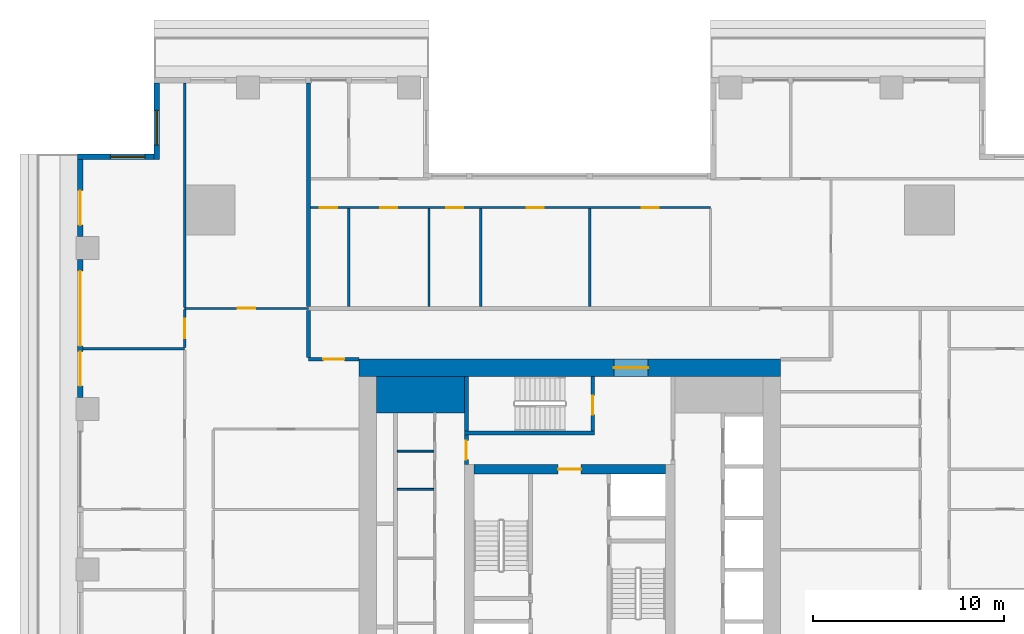
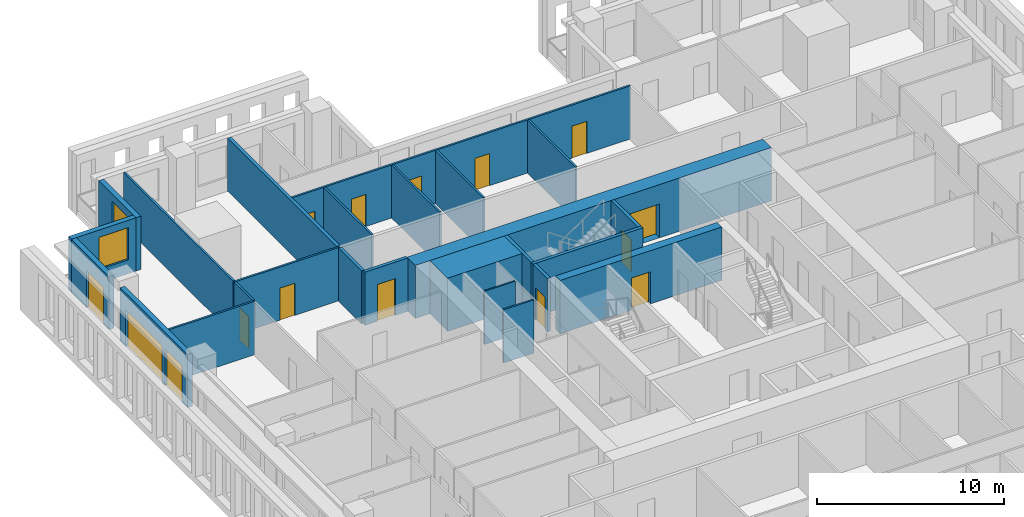
# One storey, part 7 of 16: 25 walls, 15 doors, 2 windows, 17 openings.
"""IFC4 building model written with IfcOpenShell, lengths in metres."""

from ifc_helpers import new_model, si_unit, direction, frame, frame_2d, origin, place, context, subcontext, project, spatial, rectangle, extrude, material, layer, layer_set, type_object, element, fill, save


model = new_model("IFC4")

# Units and contexts
model_context = context("Model", 3, precision=1e-05, world=origin(), true_north=direction((0.0, 1.0)))
body_context = subcontext(model_context, "Body", "Model", "MODEL_VIEW")
ifc_project = project(units=[si_unit("LENGTHUNIT", "METRE"), si_unit("AREAUNIT", "SQUARE_METRE"), si_unit("VOLUMEUNIT", "CUBIC_METRE"), si_unit("PLANEANGLEUNIT", "RADIAN"), si_unit("MASSUNIT", "GRAM", prefix="KILO")], contexts=[model_context])

# Site, building, storey
site_placement = place(None, origin())
site = spatial("IfcSite", under=ifc_project, at=site_placement, CompositionType="ELEMENT")
building_placement = place(site_placement, origin())
building = spatial("IfcBuilding", under=site, at=building_placement, Name="Khepri Terraces", CompositionType="ELEMENT")
storey_placement = place(building_placement, frame((0.0, 0.0, 153.300048828125)))
storey = spatial("IfcBuildingStorey", under=building, at=storey_placement, Name="L36", CompositionType="ELEMENT", Elevation=153.300048828125)

# Walls
ifc_material_1 = material(Name="Concrete C60/75", Category="concrete")
ifc_layer_1 = layer(ifc_material_1, 1.89990234375, Name="Concrete C60/75", Category="concrete")
ifc_layer_set_1 = layer_set([ifc_layer_1], Name="Concrete C60/75")
wall_type_1 = type_object("IfcWallType", Name="Core wall 1900 C60/75", PredefinedType="SHEAR", material=ifc_layer_set_1)
wall_1_placement = place(storey_placement, frame((-10.10009765625, 9.14990234375, 0.0), z_axis=(0.0, 0.0, 1.0), x_axis=(1.0, 0.0, 0.0)))
element("IfcWall", 1, at=wall_1_placement, inside=storey, type_object=wall_type_1, Name="Core wall PR03 L36", PredefinedType="SHEAR", context=body_context, shape_type="SweptSolid", body=[
    extrude(rectangle(XDim=4.60009765625, YDim=1.89990234375, at=frame_2d((2.300048828125, 0.0))), origin(), (0.0, 0.0, 1.0), 3.47998046875),
])
ifc_layer_2 = layer(ifc_material_1, 0.199951171875, Name="Concrete C60/75", Category="concrete")
ifc_layer_set_2 = layer_set([ifc_layer_2], Name="Concrete C60/75")
wall_type_2 = type_object("IfcWallType", Name="Core wall 200 C60/75", PredefinedType="SHEAR", material=ifc_layer_set_2)
wall_2_placement = place(storey_placement, frame((-5.5, 7.14990234375, 0.0), z_axis=(0.0, 0.0, 1.0), x_axis=(1.0, 0.0, 0.0)))
element("IfcWall", 2, at=wall_2_placement, inside=storey, type_object=wall_type_2, Name="Core wall ST05 L36", PredefinedType="SHEAR", context=body_context, shape_type="SweptSolid", body=[
    extrude(rectangle(XDim=6.800048828125, YDim=0.199951171875, at=frame_2d((3.39990234375, 0.0))), origin(), (0.0, 0.0, 1.0), 3.47998046875),
])
wall_3_placement = place(storey_placement, frame((-5.39990234375, 7.25, 0.0), z_axis=(0.0, 0.0, 1.0), x_axis=(0.0, 1.0, 0.0)))
element("IfcWall", 3, at=wall_3_placement, inside=storey, type_object=wall_type_2, Name="Core wall ST06 L36", PredefinedType="SHEAR", context=body_context, shape_type="SweptSolid", body=[
    extrude(rectangle(XDim=2.85009765625, YDim=0.199951171875, at=frame_2d((1.425048828125, 0.0))), origin(), (0.0, 0.0, 1.0), 3.47998046875),
])

# Wall, opening, door
wall_4_placement = place(storey_placement, frame((1.199951171875, 7.25, 0.0), z_axis=(0.0, 0.0, 1.0), x_axis=(0.0, 1.0, 0.0)))
wall_4 = element("IfcWall", 4, at=wall_4_placement, inside=storey, type_object=wall_type_2, Name="Core wall ST07 L36", PredefinedType="SHEAR", context=body_context, shape_type="SweptSolid", body=[
    extrude(rectangle(XDim=2.85009765625, YDim=0.199951171875, at=frame_2d((1.425048828125, 0.0))), origin(), (0.0, 0.0, 1.0), 3.47998046875),
])
opening_1_placement = place(wall_4_placement, frame((0.85009765625, 0.0, 0.0)))
opening_1 = element("IfcOpeningElement", 5, at=opening_1_placement, cuts=wall_4, Name="Opening L36-C15", PredefinedType="OPENING", context=body_context, shape_type="SweptSolid", body=[
    extrude(rectangle(XDim=1.0, YDim=2.10009765625, at=frame_2d((0.5, 1.050048828125))), frame((0.0, 0.10986328125, 0.0), z_axis=(0.0, -1.0, 0.0), x_axis=(1.0, 0.0, 0.0)), (0.0, 0.0, 1.0), 0.219970703125),
])
ifc_material_2 = material(Name="Painted steel", Category="steel")
door_type_1 = type_object("IfcDoorType", Name="DR-CORE-STAIR-1000", OperationType="NOTDEFINED", PredefinedType="DOOR", material=ifc_material_2)
door_1_placement = place(opening_1_placement, origin())
door_1 = element("IfcDoor", 6, at=door_1_placement, inside=storey, type_object=door_type_1, Name="Stair door L36-C15", OperationType="SINGLE_SWING_LEFT", OverallHeight=2.10009765625, OverallWidth=1.0, PredefinedType="DOOR", context=body_context, shape_type="SweptSolid", body=[
    extrude(rectangle(XDim=1.0, YDim=2.10009765625, at=frame_2d((0.5, 1.050048828125))), frame((0.0, 0.02490234375, 0.0), z_axis=(0.0, -1.0, 0.0), x_axis=(1.0, 0.0, 0.0)), (0.0, 0.0, 1.0), 0.050048828125),
])
fill(opening_1, door_1)

ifc_layer_3 = layer(ifc_material_1, 0.5, Name="Concrete C60/75", Category="concrete")
ifc_layer_set_3 = layer_set([ifc_layer_3], Name="Concrete C60/75")
wall_type_3 = type_object("IfcWallType", Name="Core wall 500 C60/75", PredefinedType="SHEAR", material=ifc_layer_set_3)
wall_5_placement = place(storey_placement, frame((-5.0, 5.25, 0.0), z_axis=(0.0, 0.0, 1.0), x_axis=(1.0, 0.0, 0.0)))
wall_5 = element("IfcWall", 7, at=wall_5_placement, inside=storey, type_object=wall_type_3, Name="Core wall BX04 L36", PredefinedType="SHEAR", context=body_context, shape_type="SweptSolid", body=[
    extrude(rectangle(XDim=10.0, YDim=0.5, at=frame_2d((5.0, 0.0))), origin(), (0.0, 0.0, 1.0), 3.47998046875),
])
opening_2_placement = place(wall_5_placement, frame((4.39990234375, 0.0, 0.0)))
opening_2 = element("IfcOpeningElement", 8, at=opening_2_placement, cuts=wall_5, Name="Opening L36-C13", PredefinedType="OPENING", context=body_context, shape_type="SweptSolid", body=[
    extrude(rectangle(XDim=1.199951171875, YDim=2.10009765625, at=frame_2d((0.60009765625, 1.050048828125))), frame((0.0, 0.260009765625, 0.0), z_axis=(0.0, -1.0, 0.0), x_axis=(1.0, 0.0, 0.0)), (0.0, 0.0, 1.0), 0.52001953125),
])
door_type_2 = type_object("IfcDoorType", Name="DR-CORE-FF-LOBBY-1200", OperationType="NOTDEFINED", PredefinedType="DOOR", material=ifc_material_2)
door_2_placement = place(opening_2_placement, frame((1.199951171875, 0.0, 0.0), z_axis=(0.0, 0.0, 1.0), x_axis=(-1.0, 0.0, 0.0)))
door_2 = element("IfcDoor", 9, at=door_2_placement, inside=storey, type_object=door_type_2, Name="Firefighting lobby door L36-C13", OperationType="SINGLE_SWING_LEFT", OverallHeight=2.10009765625, OverallWidth=1.199951171875, PredefinedType="DOOR", context=body_context, shape_type="SweptSolid", body=[
    extrude(rectangle(XDim=1.199951171875, YDim=2.10009765625, at=frame_2d((0.60009765625, 1.050048828125))), frame((0.0, 0.02490234375, 0.0), z_axis=(0.0, -1.0, 0.0), x_axis=(1.0, 0.0, 0.0)), (0.0, 0.0, 1.0), 0.050048828125),
])
fill(opening_2, door_2)

ifc_layer_4 = layer(ifc_material_1, 0.89990234375, Name="Concrete C60/75", Category="concrete")
ifc_layer_set_4 = layer_set([ifc_layer_4], Name="Concrete C60/75")
wall_type_4 = type_object("IfcWallType", Name="Core wall 900 C60/75", PredefinedType="SHEAR", material=ifc_layer_set_4)
wall_6_placement = place(storey_placement, frame((-11.0, 10.550048828125, 0.0), z_axis=(0.0, 0.0, 1.0), x_axis=(1.0, 0.0, 0.0)))
wall_6 = element("IfcWall", 10, at=wall_6_placement, inside=storey, type_object=wall_type_4, Name="Core wall OW-N L36", PredefinedType="SHEAR", context=body_context, shape_type="SweptSolid", body=[
    extrude(rectangle(XDim=22.0, YDim=0.89990234375, at=frame_2d((11.0, 0.0))), origin(), (0.0, 0.0, 1.0), 3.47998046875),
])
opening_3_placement = place(wall_6_placement, frame((13.300048828125, 0.0, 0.0)))
opening_3 = element("IfcOpeningElement", 11, at=opening_3_placement, cuts=wall_6, Name="Opening L36-C20", PredefinedType="OPENING", context=body_context, shape_type="SweptSolid", body=[
    extrude(rectangle(XDim=1.800048828125, YDim=2.199951171875, at=frame_2d((0.89990234375, 1.10009765625))), frame((0.0, 0.4599609375, 0.0), z_axis=(0.0, -1.0, 0.0), x_axis=(1.0, 0.0, 0.0)), (0.0, 0.0, 1.0), 0.919921875),
])
door_type_3 = type_object("IfcDoorType", Name="DR-CORE-ENTRANCE-1800", OperationType="NOTDEFINED", PredefinedType="DOOR", material=ifc_material_2)
door_3_placement = place(opening_3_placement, origin())
door_3 = element("IfcDoor", 12, at=door_3_placement, inside=storey, type_object=door_type_3, Name="Core entrance door pair L36-C20", OperationType="DOUBLE_DOOR_SINGLE_SWING", OverallHeight=2.199951171875, OverallWidth=1.800048828125, PredefinedType="DOOR", context=body_context, shape_type="SweptSolid", body=[
    extrude(rectangle(XDim=1.800048828125, YDim=2.199951171875, at=frame_2d((0.89990234375, 1.10009765625))), frame((0.0, 0.02490234375, 0.0), z_axis=(0.0, -1.0, 0.0), x_axis=(1.0, 0.0, 0.0)), (0.0, 0.0, 1.0), 0.050048828125),
])
fill(opening_3, door_3)

# Walls
ifc_material_3 = material(Name="Fire-rated gypsum board partition")
ifc_layer_5 = layer(ifc_material_3, 0.10009765625, Name="Fire-rated gypsum board partition")
ifc_layer_set_5 = layer_set([ifc_layer_5], Name="Fire-rated gypsum board partition")
wall_type_5 = type_object("IfcWallType", Name="WL-CORE-PART-100", PredefinedType="PARTITIONING", material=ifc_layer_set_5)
for number, where, z_axis, x_axis, name in (
    (13, (-9.0, 4.199951171875, 0.0), (0.0, 0.0, 1.0), (1.0, 0.0, 0.0), "Core partition PT11 L36"),
    (14, (-9.0, 6.199951171875, 0.0), (0.0, 0.0, 1.0), (1.0, 0.0, 0.0), "Core partition PT14 L36"),
):
    element("IfcWall", number, at=place(storey_placement, frame(where, z_axis=z_axis, x_axis=x_axis)), inside=storey, type_object=wall_type_5, Name=name, PredefinedType="PARTITIONING", context=body_context, shape_type="SweptSolid", body=[
        extrude(rectangle(XDim=1.89990234375, YDim=0.10009765625, at=frame_2d((0.949951171875, 0.0))), origin(), (0.0, 0.0, 1.0), 3.47998046875),
    ])

# Wall, opening, door
ifc_layer_6 = layer(ifc_material_3, 0.199951171875, Name="Fire-rated gypsum board partition")
ifc_layer_set_6 = layer_set([ifc_layer_6], Name="Fire-rated gypsum board partition")
wall_type_6 = type_object("IfcWallType", Name="WL-CORE-PART-200", PredefinedType="PARTITIONING", material=ifc_layer_set_6)
wall_7_placement = place(storey_placement, frame((-5.39990234375, 5.5, 0.0), z_axis=(0.0, 0.0, 1.0), x_axis=(0.0, 1.0, 0.0)))
wall_7 = element("IfcWall", 15, at=wall_7_placement, inside=storey, type_object=wall_type_6, Name="Core partition PT12 L36", PredefinedType="PARTITIONING", context=body_context, shape_type="SweptSolid", body=[
    extrude(rectangle(XDim=1.550048828125, YDim=0.199951171875, at=frame_2d((0.77490234375, 0.0))), origin(), (0.0, 0.0, 1.0), 3.47998046875),
])
opening_4_placement = place(wall_7_placement, frame((0.25, 0.0, 0.0)))
opening_4 = element("IfcOpeningElement", 16, at=opening_4_placement, cuts=wall_7, Name="Opening L36-C16", PredefinedType="OPENING", context=body_context, shape_type="SweptSolid", body=[
    extrude(rectangle(XDim=1.0, YDim=2.10009765625, at=frame_2d((0.5, 1.050048828125))), frame((0.0, 0.10986328125, 0.0), z_axis=(0.0, -1.0, 0.0), x_axis=(1.0, 0.0, 0.0)), (0.0, 0.0, 1.0), 0.219970703125),
])
door_type_4 = type_object("IfcDoorType", Name="DR-CORE-LOBBY-1000", OperationType="NOTDEFINED", PredefinedType="DOOR", material=ifc_material_2)
door_4_placement = place(opening_4_placement, frame((1.0, 0.0, 0.0), z_axis=(0.0, 0.0, 1.0), x_axis=(-1.0, 0.0, 0.0)))
door_4 = element("IfcDoor", 17, at=door_4_placement, inside=storey, type_object=door_type_4, Name="Lobby door L36-C16", OperationType="SINGLE_SWING_RIGHT", OverallHeight=2.10009765625, OverallWidth=1.0, PredefinedType="DOOR", context=body_context, shape_type="SweptSolid", body=[
    extrude(rectangle(XDim=1.0, YDim=2.10009765625, at=frame_2d((0.5, 1.050048828125))), frame((0.0, 0.02490234375, 0.0), z_axis=(0.0, -1.0, 0.0), x_axis=(1.0, 0.0, 0.0)), (0.0, 0.0, 1.0), 0.050048828125),
])
fill(opening_4, door_4)

ifc_material_4 = material(Name="Fire-rated gypsum plasterboard partition, mineral wool")
ifc_layer_7 = layer(ifc_material_4, 0.199951171875, Name="Fire-rated gypsum plasterboard partition, mineral wool")
ifc_layer_set_7 = layer_set([ifc_layer_7], Name="Fire-rated gypsum plasterboard partition, mineral wool")
wall_type_7 = type_object("IfcWallType", Name="WL-CORR-200", PredefinedType="PARTITIONING", material=ifc_layer_set_7)
wall_8_placement = place(storey_placement, frame((-13.64990234375, 11.0, 0.0), z_axis=(0.0, 0.0, 1.0), x_axis=(1.0, 0.0, 0.0)))
wall_8 = element("IfcWall", 18, at=wall_8_placement, inside=storey, type_object=wall_type_7, Name="Partition P-075 L36", PredefinedType="PARTITIONING", context=body_context, shape_type="SweptSolid", body=[
    extrude(rectangle(XDim=2.64990234375, YDim=0.199951171875, at=frame_2d((1.324951171875, 0.0))), origin(), (0.0, 0.0, 1.0), 3.47998046875),
])
opening_5_placement = place(wall_8_placement, frame((0.77490234375, 0.0, 0.0)))
opening_5 = element("IfcOpeningElement", 19, at=opening_5_placement, cuts=wall_8, Name="Opening D1", PredefinedType="OPENING", context=body_context, shape_type="SweptSolid", body=[
    extrude(rectangle(XDim=1.10009765625, YDim=2.39990234375, at=frame_2d((0.550048828125, 1.199951171875))), frame((0.0, 0.10986328125, 0.0), z_axis=(0.0, -1.0, 0.0), x_axis=(1.0, 0.0, 0.0)), (0.0, 0.0, 1.0), 0.219970703125),
])
ifc_material_5 = material(Name="Solid-core timber door leaf, flat entrance door", Category="wood")
door_type_5 = type_object("IfcDoorType", Name="DR-ENT-1100", OperationType="NOTDEFINED", PredefinedType="DOOR", material=ifc_material_5)
door_5_placement = place(opening_5_placement, frame((1.10009765625, 0.0, 0.0), z_axis=(0.0, 0.0, 1.0), x_axis=(-1.0, 0.0, 0.0)))
door_5 = element("IfcDoor", 20, at=door_5_placement, inside=storey, type_object=door_type_5, Name="Flat D1 entrance door", OperationType="SINGLE_SWING_LEFT", OverallHeight=2.39990234375, OverallWidth=1.10009765625, PredefinedType="DOOR", context=body_context, shape_type="SweptSolid", body=[
    extrude(rectangle(XDim=1.10009765625, YDim=2.39990234375, at=frame_2d((0.550048828125, 1.199951171875))), frame((0.0, 0.02490234375, 0.0), z_axis=(0.0, -1.0, 0.0), x_axis=(1.0, 0.0, 0.0)), (0.0, 0.0, 1.0), 0.050048828125),
])
fill(opening_5, door_5)

# Walls
wall_9_placement = place(storey_placement, frame((-13.64990234375, 11.10009765625, 0.0), z_axis=(0.0, 0.0, 1.0), x_axis=(0.0, 1.0, 0.0)))
element("IfcWall", 21, at=wall_9_placement, inside=storey, type_object=wall_type_7, Name="Partition P-077 L36", PredefinedType="PARTITIONING", context=body_context, shape_type="SweptSolid", body=[
    extrude(rectangle(XDim=2.449951171875, YDim=0.199951171875, at=frame_2d((1.22509765625, 0.0))), origin(), (0.0, 0.0, 1.0), 3.47998046875),
])
wall_10_placement = place(storey_placement, frame((-13.64990234375, 13.75, 0.0), z_axis=(0.0, 0.0, 1.0), x_axis=(0.0, 1.0, 0.0)))
element("IfcWall", 22, at=wall_10_placement, inside=storey, type_object=wall_type_7, Name="Partition P-086 L36", PredefinedType="PARTITIONING", context=body_context, shape_type="SweptSolid", body=[
    extrude(rectangle(XDim=11.669921875, YDim=0.199951171875, at=frame_2d((5.8349609375, 0.0))), origin(), (0.0, 0.0, 1.0), 3.47998046875),
])

# Wall, opening, window
ifc_material_6 = material(Name="Precast concrete C50/60 warm stone", Category="masonry")
ifc_layer_8 = layer(ifc_material_6, 0.300048828125, Name="Precast concrete C50/60 warm stone", Category="masonry")
ifc_layer_set_8 = layer_set([ifc_layer_8], Name="Precast concrete C50/60 warm stone")
wall_type_8 = type_object("IfcWallType", Name="WL-EXT-PRECAST-300", PredefinedType="STANDARD", material=ifc_layer_set_8)
wall_11_placement = place(storey_placement, frame((-21.570068359375, 25.419921875, 0.0), z_axis=(0.0, 0.0, 1.0), x_axis=(0.0, -1.0, 0.0)))
wall_11 = element("IfcWall", 23, at=wall_11_placement, inside=storey, type_object=wall_type_8, Name="External wall L36 W", PredefinedType="STANDARD", context=body_context, shape_type="SweptSolid", body=[
    extrude(rectangle(XDim=4.0, YDim=0.300048828125, at=frame_2d((2.0, 0.0))), origin(), (0.0, 0.0, 1.0), 3.47998046875),
])
opening_6_placement = place(wall_11_placement, frame((1.419921875, 0.0, 0.89990234375)))
opening_6 = element("IfcOpeningElement", 24, at=opening_6_placement, cuts=wall_11, Name="Opening W1", PredefinedType="OPENING", context=body_context, shape_type="SweptSolid", body=[
    extrude(rectangle(XDim=1.800048828125, YDim=2.10009765625, at=frame_2d((0.89990234375, 1.050048828125))), frame((0.0, 0.16015625, 0.0), z_axis=(0.0, -1.0, 0.0), x_axis=(1.0, 0.0, 0.0)), (0.0, 0.0, 1.0), 0.320068359375),
])
ifc_material_7 = material(Name="Clear glass", Category="glass")
window_type = type_object("IfcWindowType", Name="WIN-RES-1800x2100", PartitioningType="SINGLE_PANEL", PredefinedType="WINDOW", material=ifc_material_7)
window_1_placement = place(opening_6_placement, origin())
window_1 = element("IfcWindow", 25, at=window_1_placement, inside=storey, type_object=window_type, Name="Window L36 W", OverallHeight=2.10009765625, OverallWidth=1.800048828125, PartitioningType="SINGLE_PANEL", PredefinedType="WINDOW", context=body_context, shape_type="SweptSolid", body=[
    extrude(rectangle(XDim=1.800048828125, YDim=2.10009765625, at=frame_2d((0.89990234375, 1.050048828125))), frame((0.0, 0.030029296875, 0.0), z_axis=(0.0, -1.0, 0.0), x_axis=(1.0, 0.0, 0.0)), (0.0, 0.0, 1.0), 0.06005859375),
])
fill(opening_6, window_1)

wall_12_placement = place(storey_placement, frame((-21.719970703125, 21.570068359375, 0.0), z_axis=(0.0, 0.0, 1.0), x_axis=(-1.0, 0.0, 0.0)))
wall_12 = element("IfcWall", 26, at=wall_12_placement, inside=storey, type_object=wall_type_8, Name="External wall L36 N", PredefinedType="STANDARD", context=body_context, shape_type="SweptSolid", body=[
    extrude(rectangle(XDim=4.0, YDim=0.300048828125, at=frame_2d((2.0, 0.0))), origin(), (0.0, 0.0, 1.0), 3.47998046875),
])
opening_7_placement = place(wall_12_placement, frame((0.47998046875, 0.0, 0.89990234375)))
opening_7 = element("IfcOpeningElement", 27, at=opening_7_placement, cuts=wall_12, Name="Opening W1", PredefinedType="OPENING", context=body_context, shape_type="SweptSolid", body=[
    extrude(rectangle(XDim=1.800048828125, YDim=2.10009765625, at=frame_2d((0.89990234375, 1.050048828125))), frame((0.0, 0.16015625, 0.0), z_axis=(0.0, -1.0, 0.0), x_axis=(1.0, 0.0, 0.0)), (0.0, 0.0, 1.0), 0.320068359375),
])
window_2_placement = place(opening_7_placement, origin())
window_2 = element("IfcWindow", 28, at=window_2_placement, inside=storey, type_object=window_type, Name="Window L36 N", OverallHeight=2.10009765625, OverallWidth=1.800048828125, PartitioningType="SINGLE_PANEL", PredefinedType="WINDOW", context=body_context, shape_type="SweptSolid", body=[
    extrude(rectangle(XDim=1.800048828125, YDim=2.10009765625, at=frame_2d((0.89990234375, 1.050048828125))), frame((0.0, 0.030029296875, 0.0), z_axis=(0.0, -1.0, 0.0), x_axis=(1.0, 0.0, 0.0)), (0.0, 0.0, 1.0), 0.06005859375),
])
fill(opening_7, window_2)

# Wall, opening, door
wall_13_placement = place(storey_placement, frame((-25.570068359375, 21.419921875, 0.0), z_axis=(0.0, 0.0, 1.0), x_axis=(0.0, -1.0, 0.0)))
wall_13 = element("IfcWall", 29, at=wall_13_placement, inside=storey, type_object=wall_type_8, Name="External wall L36 W", PredefinedType="STANDARD", context=body_context, shape_type="SweptSolid", body=[
    extrude(rectangle(XDim=4.02001953125, YDim=0.300048828125, at=frame_2d((2.010009765625, 0.0))), origin(), (0.0, 0.0, 1.0), 3.47998046875),
])
opening_8_placement = place(wall_13_placement, frame((1.6201171875, 0.0, 0.0)))
opening_8 = element("IfcOpeningElement", 30, at=opening_8_placement, cuts=wall_13, Name="Opening ED-L36-09", PredefinedType="OPENING", context=body_context, shape_type="SweptSolid", body=[
    extrude(rectangle(XDim=1.800048828125, YDim=2.39990234375, at=frame_2d((0.89990234375, 1.199951171875))), frame((0.0, 0.16015625, 0.0), z_axis=(0.0, -1.0, 0.0), x_axis=(1.0, 0.0, 0.0)), (0.0, 0.0, 1.0), 0.320068359375),
])
ifc_material_8 = material(Name="Anodised aluminium bronze glazed door", Category="aluminium")
door_type_6 = type_object("IfcDoorType", Name="DR-BAL-SLIDE-1800x2400", OperationType="NOTDEFINED", PredefinedType="DOOR", material=ifc_material_8)
door_6_placement = place(opening_8_placement, origin())
door_6 = element("IfcDoor", 31, at=door_6_placement, inside=storey, type_object=door_type_6, Name="Balcony door L36 W", OperationType="SLIDING_TO_RIGHT", OverallHeight=2.39990234375, OverallWidth=1.800048828125, PredefinedType="DOOR", context=body_context, shape_type="SweptSolid", body=[
    extrude(rectangle(XDim=1.800048828125, YDim=2.39990234375, at=frame_2d((0.89990234375, 1.199951171875))), frame((0.0, 0.02490234375, 0.0), z_axis=(0.0, -1.0, 0.0), x_axis=(1.0, 0.0, 0.0)), (0.0, 0.0, 1.0), 0.050048828125),
])
fill(opening_8, door_6)

# Wall, openings, doors
wall_14_placement = place(storey_placement, frame((-25.570068359375, 16.199951171875, 0.0), z_axis=(0.0, 0.0, 1.0), x_axis=(0.0, -1.0, 0.0)))
wall_14 = element("IfcWall", 32, at=wall_14_placement, inside=storey, type_object=wall_type_8, Name="External wall L36 W", PredefinedType="STANDARD", context=body_context, shape_type="SweptSolid", body=[
    extrude(rectangle(XDim=7.199951171875, YDim=0.300048828125, at=frame_2d((3.60009765625, 0.0))), origin(), (0.0, 0.0, 1.0), 3.47998046875),
])
opening_9_placement = place(wall_14_placement, frame((0.60009765625, 0.0, 0.0)))
opening_9 = element("IfcOpeningElement", 33, at=opening_9_placement, cuts=wall_14, Name="Opening ED-L36-10", PredefinedType="OPENING", context=body_context, shape_type="SweptSolid", body=[
    extrude(rectangle(XDim=3.89990234375, YDim=2.39990234375, at=frame_2d((1.949951171875, 1.199951171875))), frame((0.0, 0.16015625, 0.0), z_axis=(0.0, -1.0, 0.0), x_axis=(1.0, 0.0, 0.0)), (0.0, 0.0, 1.0), 0.320068359375),
])
opening_10_placement = place(wall_14_placement, frame((4.800048828125, 0.0, 0.0)))
opening_10 = element("IfcOpeningElement", 34, at=opening_10_placement, cuts=wall_14, Name="Opening ED-L36-11", PredefinedType="OPENING", context=body_context, shape_type="SweptSolid", body=[
    extrude(rectangle(XDim=1.800048828125, YDim=2.39990234375, at=frame_2d((0.89990234375, 1.199951171875))), frame((0.0, 0.16015625, 0.0), z_axis=(0.0, -1.0, 0.0), x_axis=(1.0, 0.0, 0.0)), (0.0, 0.0, 1.0), 0.320068359375),
])
door_7_placement = place(opening_10_placement, origin())
door_7 = element("IfcDoor", 35, at=door_7_placement, inside=storey, type_object=door_type_6, Name="Balcony door L36 W", OperationType="SLIDING_TO_RIGHT", OverallHeight=2.39990234375, OverallWidth=1.800048828125, PredefinedType="DOOR", context=body_context, shape_type="SweptSolid", body=[
    extrude(rectangle(XDim=1.800048828125, YDim=2.39990234375, at=frame_2d((0.89990234375, 1.199951171875))), frame((0.0, 0.02490234375, 0.0), z_axis=(0.0, -1.0, 0.0), x_axis=(1.0, 0.0, 0.0)), (0.0, 0.0, 1.0), 0.050048828125),
])
fill(opening_10, door_7)
door_type_7 = type_object("IfcDoorType", Name="DR-BAL-SLIDE-3900x2400", OperationType="NOTDEFINED", PredefinedType="DOOR", material=ifc_material_8)
door_8_placement = place(opening_9_placement, origin())
door_8 = element("IfcDoor", 36, at=door_8_placement, inside=storey, type_object=door_type_7, Name="Balcony door L36 W", OperationType="SLIDING_TO_LEFT", OverallHeight=2.39990234375, OverallWidth=3.89990234375, PredefinedType="DOOR", context=body_context, shape_type="SweptSolid", body=[
    extrude(rectangle(XDim=3.89990234375, YDim=2.39990234375, at=frame_2d((1.949951171875, 1.199951171875))), frame((0.0, 0.02490234375, 0.0), z_axis=(0.0, -1.0, 0.0), x_axis=(1.0, 0.0, 0.0)), (0.0, 0.0, 1.0), 0.050048828125),
])
fill(opening_9, door_8)

# Wall
ifc_material_9 = material(Name="Gypsum plasterboard partition")
ifc_layer_9 = layer(ifc_material_9, 0.1201171875, Name="Gypsum plasterboard partition")
ifc_layer_set_9 = layer_set([ifc_layer_9], Name="Gypsum plasterboard partition")
wall_type_9 = type_object("IfcWallType", Name="WL-PART-120", PredefinedType="PARTITIONING", material=ifc_layer_set_9)
wall_15_placement = place(storey_placement, frame((-25.419921875, 11.550048828125, 0.0), z_axis=(0.0, 0.0, 1.0), x_axis=(1.0, 0.0, 0.0)))
element("IfcWall", 37, at=wall_15_placement, inside=storey, type_object=wall_type_9, Name="Partition P-079 L36", PredefinedType="PARTITIONING", context=body_context, shape_type="SweptSolid", body=[
    extrude(rectangle(XDim=5.2998046875, YDim=0.1201171875, at=frame_2d((2.64990234375, 0.0))), origin(), (0.0, 0.0, 1.0), 3.47998046875),
])

# Wall, opening, door
wall_16_placement = place(storey_placement, frame((-20.1201171875, 11.610107421875, 0.0), z_axis=(0.0, 0.0, 1.0), x_axis=(0.0, 1.0, 0.0)))
wall_16 = element("IfcWall", 38, at=wall_16_placement, inside=storey, type_object=wall_type_9, Name="Partition P-081 L36", PredefinedType="PARTITIONING", context=body_context, shape_type="SweptSolid", body=[
    extrude(rectangle(XDim=1.97998046875, YDim=0.1201171875, at=frame_2d((0.989990234375, 0.0))), origin(), (0.0, 0.0, 1.0), 3.47998046875),
])
opening_11_placement = place(wall_16_placement, frame((0.489990234375, 0.0, 0.0)))
opening_11 = element("IfcOpeningElement", 39, at=opening_11_placement, cuts=wall_16, Name="Opening D2", PredefinedType="OPENING", context=body_context, shape_type="SweptSolid", body=[
    extrude(rectangle(XDim=1.0, YDim=2.10009765625, at=frame_2d((0.5, 1.050048828125))), frame((0.0, 0.070068359375, 0.0), z_axis=(0.0, -1.0, 0.0), x_axis=(1.0, 0.0, 0.0)), (0.0, 0.0, 1.0), 0.14013671875),
])
ifc_material_10 = material(Name="Timber door leaf, living room door", Category="wood")
door_type_8 = type_object("IfcDoorType", Name="DR-INT-1000", OperationType="NOTDEFINED", PredefinedType="DOOR", material=ifc_material_10)
door_9_placement = place(opening_11_placement, origin())
door_9 = element("IfcDoor", 40, at=door_9_placement, inside=storey, type_object=door_type_8, Name="Door Living Room", OperationType="SINGLE_SWING_RIGHT", OverallHeight=2.10009765625, OverallWidth=1.0, PredefinedType="DOOR", context=body_context, shape_type="SweptSolid", body=[
    extrude(rectangle(XDim=1.0, YDim=2.10009765625, at=frame_2d((0.5, 1.050048828125))), frame((0.0, 0.02490234375, 0.0), z_axis=(0.0, -1.0, 0.0), x_axis=(1.0, 0.0, 0.0)), (0.0, 0.0, 1.0), 0.050048828125),
])
fill(opening_11, door_9)

wall_17_placement = place(storey_placement, frame((-20.1201171875, 13.64990234375, 0.0), z_axis=(0.0, 0.0, 1.0), x_axis=(1.0, 0.0, 0.0)))
wall_17 = element("IfcWall", 41, at=wall_17_placement, inside=storey, type_object=wall_type_9, Name="Partition P-083 L36", PredefinedType="PARTITIONING", context=body_context, shape_type="SweptSolid", body=[
    extrude(rectangle(XDim=6.47021484375, YDim=0.1201171875, at=frame_2d((3.235107421875, 0.0))), origin(), (0.0, 0.0, 1.0), 3.47998046875),
])
opening_12_placement = place(wall_17_placement, frame((2.784912109375, 0.0, 0.0)))
opening_12 = element("IfcOpeningElement", 42, at=opening_12_placement, cuts=wall_17, Name="Opening D3", PredefinedType="OPENING", context=body_context, shape_type="SweptSolid", body=[
    extrude(rectangle(XDim=0.89990234375, YDim=2.10009765625, at=frame_2d((0.449951171875, 1.050048828125))), frame((0.0, 0.070068359375, 0.0), z_axis=(0.0, -1.0, 0.0), x_axis=(1.0, 0.0, 0.0)), (0.0, 0.0, 1.0), 0.14013671875),
])
ifc_material_11 = material(Name="Timber door leaf", Category="wood")
door_type_9 = type_object("IfcDoorType", Name="DR-INT-900", OperationType="NOTDEFINED", PredefinedType="DOOR", material=ifc_material_11)
door_10_placement = place(opening_12_placement, origin())
door_10 = element("IfcDoor", 43, at=door_10_placement, inside=storey, type_object=door_type_9, Name="Door Home Cinema", OperationType="SINGLE_SWING_LEFT", OverallHeight=2.10009765625, OverallWidth=0.89990234375, PredefinedType="DOOR", context=body_context, shape_type="SweptSolid", body=[
    extrude(rectangle(XDim=0.89990234375, YDim=2.10009765625, at=frame_2d((0.449951171875, 1.050048828125))), frame((0.0, 0.02490234375, 0.0), z_axis=(0.0, -1.0, 0.0), x_axis=(1.0, 0.0, 0.0)), (0.0, 0.0, 1.0), 0.050048828125),
])
fill(opening_12, door_10)

# Walls
wall_18_placement = place(storey_placement, frame((-20.1201171875, 13.7099609375, 0.0), z_axis=(0.0, 0.0, 1.0), x_axis=(0.0, 1.0, 0.0)))
element("IfcWall", 44, at=wall_18_placement, inside=storey, type_object=wall_type_9, Name="Partition P-085 L36", PredefinedType="PARTITIONING", context=body_context, shape_type="SweptSolid", body=[
    extrude(rectangle(XDim=11.7099609375, YDim=0.1201171875, at=frame_2d((5.85498046875, 0.0))), origin(), (0.0, 0.0, 1.0), 3.47998046875),
])
for number, where, z_axis, x_axis, name in (
    (45, (-11.550048828125, 13.75, 0.0), (0.0, 0.0, 1.0), (0.0, 1.0, 0.0), "Partition P-087 L36"),
    (46, (-7.35009765625, 13.75, 0.0), (0.0, 0.0, 1.0), (0.0, 1.0, 0.0), "Partition P-088 L36"),
    (47, (-4.64990234375, 13.75, 0.0), (0.0, 0.0, 1.0), (0.0, 1.0, 0.0), "Partition P-089 L36"),
    (48, (1.050048828125, 13.75, 0.0), (0.0, 0.0, 1.0), (0.0, 1.0, 0.0), "Partition P-090 L36"),
):
    element("IfcWall", number, at=place(storey_placement, frame(where, z_axis=z_axis, x_axis=x_axis)), inside=storey, type_object=wall_type_9, Name=name, PredefinedType="PARTITIONING", context=body_context, shape_type="SweptSolid", body=[
        extrude(rectangle(XDim=5.110107421875, YDim=0.1201171875, at=frame_2d((2.55517578125, 0.0))), origin(), (0.0, 0.0, 1.0), 3.47998046875),
    ])

# Wall, openings, doors
wall_19_placement = place(storey_placement, frame((-13.550048828125, 18.919921875, 0.0), z_axis=(0.0, 0.0, 1.0), x_axis=(1.0, 0.0, 0.0)))
wall_19 = element("IfcWall", 49, at=wall_19_placement, inside=storey, type_object=wall_type_9, Name="Partition P-093 L36", PredefinedType="PARTITIONING", context=body_context, shape_type="SweptSolid", body=[
    extrude(rectangle(XDim=20.900146484375, YDim=0.1201171875, at=frame_2d((10.4501953125, 0.0))), origin(), (0.0, 0.0, 1.0), 3.47998046875),
])
opening_13_placement = place(wall_19_placement, frame((17.300048828125, 0.0, 0.0)))
opening_13 = element("IfcOpeningElement", 50, at=opening_13_placement, cuts=wall_19, Name="Opening D3", PredefinedType="OPENING", context=body_context, shape_type="SweptSolid", body=[
    extrude(rectangle(XDim=0.89990234375, YDim=2.10009765625, at=frame_2d((0.449951171875, 1.050048828125))), frame((0.0, 0.070068359375, 0.0), z_axis=(0.0, -1.0, 0.0), x_axis=(1.0, 0.0, 0.0)), (0.0, 0.0, 1.0), 0.14013671875),
])
opening_14_placement = place(wall_19_placement, frame((11.300048828125, 0.0, 0.0)))
opening_14 = element("IfcOpeningElement", 51, at=opening_14_placement, cuts=wall_19, Name="Opening D3", PredefinedType="OPENING", context=body_context, shape_type="SweptSolid", body=[
    extrude(rectangle(XDim=0.89990234375, YDim=2.10009765625, at=frame_2d((0.449951171875, 1.050048828125))), frame((0.0, 0.070068359375, 0.0), z_axis=(0.0, -1.0, 0.0), x_axis=(1.0, 0.0, 0.0)), (0.0, 0.0, 1.0), 0.14013671875),
])
opening_15_placement = place(wall_19_placement, frame((7.10009765625, 0.0, 0.0)))
opening_15 = element("IfcOpeningElement", 52, at=opening_15_placement, cuts=wall_19, Name="Opening D4", PredefinedType="OPENING", context=body_context, shape_type="SweptSolid", body=[
    extrude(rectangle(XDim=0.89990234375, YDim=2.10009765625, at=frame_2d((0.449951171875, 1.050048828125))), frame((0.0, 0.070068359375, 0.0), z_axis=(0.0, -1.0, 0.0), x_axis=(1.0, 0.0, 0.0)), (0.0, 0.0, 1.0), 0.14013671875),
])
opening_16_placement = place(wall_19_placement, frame((3.64990234375, 0.0, 0.0)))
opening_16 = element("IfcOpeningElement", 53, at=opening_16_placement, cuts=wall_19, Name="Opening D4", PredefinedType="OPENING", context=body_context, shape_type="SweptSolid", body=[
    extrude(rectangle(XDim=0.89990234375, YDim=2.10009765625, at=frame_2d((0.449951171875, 1.050048828125))), frame((0.0, 0.070068359375, 0.0), z_axis=(0.0, -1.0, 0.0), x_axis=(1.0, 0.0, 0.0)), (0.0, 0.0, 1.0), 0.14013671875),
])
opening_17_placement = place(wall_19_placement, frame((0.5, 0.0, 0.0)))
opening_17 = element("IfcOpeningElement", 54, at=opening_17_placement, cuts=wall_19, Name="Opening D3", PredefinedType="OPENING", context=body_context, shape_type="SweptSolid", body=[
    extrude(rectangle(XDim=0.89990234375, YDim=2.10009765625, at=frame_2d((0.449951171875, 1.050048828125))), frame((0.0, 0.070068359375, 0.0), z_axis=(0.0, -1.0, 0.0), x_axis=(1.0, 0.0, 0.0)), (0.0, 0.0, 1.0), 0.14013671875),
])
door_11_placement = place(opening_13_placement, frame((0.89990234375, 0.0, 0.0), z_axis=(0.0, 0.0, 1.0), x_axis=(-1.0, 0.0, 0.0)))
door_11 = element("IfcDoor", 55, at=door_11_placement, inside=storey, type_object=door_type_9, Name="Door Kitchen", OperationType="SINGLE_SWING_LEFT", OverallHeight=2.10009765625, OverallWidth=0.89990234375, PredefinedType="DOOR", context=body_context, shape_type="SweptSolid", body=[
    extrude(rectangle(XDim=0.89990234375, YDim=2.10009765625, at=frame_2d((0.449951171875, 1.050048828125))), frame((0.0, 0.02490234375, 0.0), z_axis=(0.0, -1.0, 0.0), x_axis=(1.0, 0.0, 0.0)), (0.0, 0.0, 1.0), 0.050048828125),
])
fill(opening_13, door_11)
door_12_placement = place(opening_14_placement, frame((0.89990234375, 0.0, 0.0), z_axis=(0.0, 0.0, 1.0), x_axis=(-1.0, 0.0, 0.0)))
door_12 = element("IfcDoor", 56, at=door_12_placement, inside=storey, type_object=door_type_9, Name="Door Staff Bedroom", OperationType="SINGLE_SWING_LEFT", OverallHeight=2.10009765625, OverallWidth=0.89990234375, PredefinedType="DOOR", context=body_context, shape_type="SweptSolid", body=[
    extrude(rectangle(XDim=0.89990234375, YDim=2.10009765625, at=frame_2d((0.449951171875, 1.050048828125))), frame((0.0, 0.02490234375, 0.0), z_axis=(0.0, -1.0, 0.0), x_axis=(1.0, 0.0, 0.0)), (0.0, 0.0, 1.0), 0.050048828125),
])
fill(opening_14, door_12)
door_13_placement = place(opening_17_placement, frame((0.89990234375, 0.0, 0.0), z_axis=(0.0, 0.0, 1.0), x_axis=(-1.0, 0.0, 0.0)))
door_13 = element("IfcDoor", 57, at=door_13_placement, inside=storey, type_object=door_type_9, Name="Door Utility Room", OperationType="SINGLE_SWING_RIGHT", OverallHeight=2.10009765625, OverallWidth=0.89990234375, PredefinedType="DOOR", context=body_context, shape_type="SweptSolid", body=[
    extrude(rectangle(XDim=0.89990234375, YDim=2.10009765625, at=frame_2d((0.449951171875, 1.050048828125))), frame((0.0, 0.02490234375, 0.0), z_axis=(0.0, -1.0, 0.0), x_axis=(1.0, 0.0, 0.0)), (0.0, 0.0, 1.0), 0.050048828125),
])
fill(opening_17, door_13)
ifc_material_12 = material(Name="Timber door leaf, moisture resistant", Category="wood")
door_type_10 = type_object("IfcDoorType", Name="DR-WET-900", OperationType="NOTDEFINED", PredefinedType="DOOR", material=ifc_material_12)
door_14_placement = place(opening_15_placement, frame((0.89990234375, 0.0, 0.0), z_axis=(0.0, 0.0, 1.0), x_axis=(-1.0, 0.0, 0.0)))
door_14 = element("IfcDoor", 58, at=door_14_placement, inside=storey, type_object=door_type_10, Name="Door Powder Room", OperationType="SINGLE_SWING_RIGHT", OverallHeight=2.10009765625, OverallWidth=0.89990234375, PredefinedType="DOOR", context=body_context, shape_type="SweptSolid", body=[
    extrude(rectangle(XDim=0.89990234375, YDim=2.10009765625, at=frame_2d((0.449951171875, 1.050048828125))), frame((0.0, 0.02490234375, 0.0), z_axis=(0.0, -1.0, 0.0), x_axis=(1.0, 0.0, 0.0)), (0.0, 0.0, 1.0), 0.050048828125),
])
fill(opening_15, door_14)
door_15_placement = place(opening_16_placement, frame((0.89990234375, 0.0, 0.0), z_axis=(0.0, 0.0, 1.0), x_axis=(-1.0, 0.0, 0.0)))
door_15 = element("IfcDoor", 59, at=door_15_placement, inside=storey, type_object=door_type_10, Name="Door Guest Bathroom", OperationType="SINGLE_SWING_RIGHT", OverallHeight=2.10009765625, OverallWidth=0.89990234375, PredefinedType="DOOR", context=body_context, shape_type="SweptSolid", body=[
    extrude(rectangle(XDim=0.89990234375, YDim=2.10009765625, at=frame_2d((0.449951171875, 1.050048828125))), frame((0.0, 0.02490234375, 0.0), z_axis=(0.0, -1.0, 0.0), x_axis=(1.0, 0.0, 0.0)), (0.0, 0.0, 1.0), 0.050048828125),
])
fill(opening_16, door_15)

save(model, "model.ifc")
